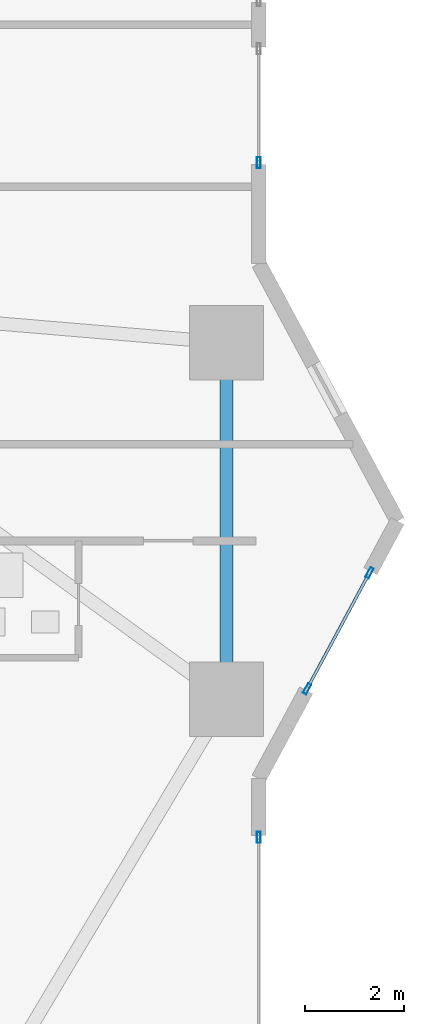
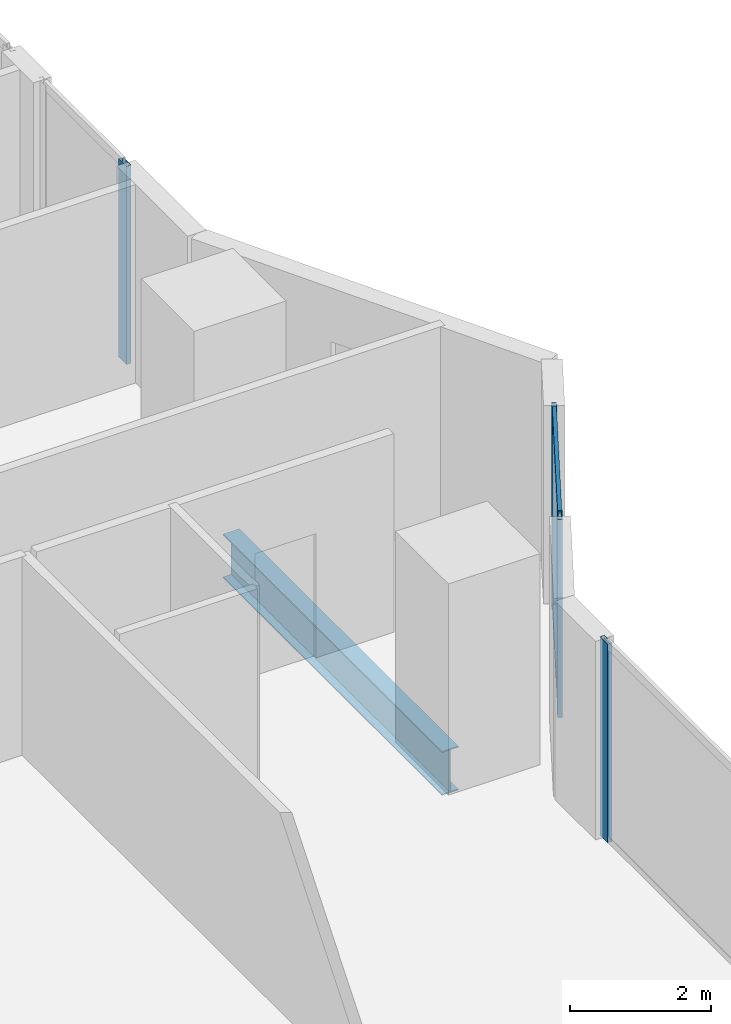
# One storey, part 12 of 29: 6 members, 1 beam, 3 elements without a shape of their own.
"""IFC4 building model written with IfcOpenShell, lengths in metres."""

import ifcopenshell
import ifcopenshell.guid

model = None  # the IFC model being written
_history = None  # IfcOwnerHistory: only IFC2X3 demands one
_inside = {}  # id of a spatial element -> (the spatial element, [elements in it])
_under = {}  # id of a project, library or spatial element -> (it, [spatial elements below it])
_declared = {}  # id of a project -> (the project, [libraries it declares])
_typed = {}  # id of a type object -> (the type object, [elements of that type])
_made_of = {}  # id of a material, layer set ... -> (it, [elements and type objects made of it])


def new_model(schema):
    """Start an empty IFC model of exactly this schema.

    Asked for "IFC4X3", IfcOpenShell would pick the latest addendum, in which some entities
    have other attributes; the version numbers below select the first issue.
    IFC2X3 requires an IfcOwnerHistory on every rooted entity: one is made here for all.
    """
    global model, _history
    if schema == "IFC4X3":
        model = ifcopenshell.file(schema_version=(4, 3, 0, 0))
    else:
        model = ifcopenshell.file(schema=schema)
    _inside.clear()
    _under.clear()
    _declared.clear()
    _typed.clear()
    _made_of.clear()
    _history = None
    if model.schema == "IFC2X3":
        org = make("IfcOrganization", Name="unknown")
        user = make(
            "IfcPersonAndOrganization",
            ThePerson=make("IfcPerson", FamilyName="unknown"),
            TheOrganization=org,
        )
        app = make(
            "IfcApplication",
            ApplicationDeveloper=org,
            Version="unknown",
            ApplicationFullName="unknown",
            ApplicationIdentifier="unknown",
        )
        _history = make(
            "IfcOwnerHistory",
            OwningUser=user,
            OwningApplication=app,
            ChangeAction="ADDED",
            CreationDate=0,
        )
    return model


def make(cls, **values):
    """One entity of the class cls with the attributes given. An attribute that is None is left unset."""
    return model.create_entity(
        cls, **{name: value for name, value in values.items() if value is not None}
    )


def rooted(cls, **values):
    """An entity with a GlobalId (a new one), such as an element, a storey or a relation."""
    return make(cls, GlobalId=ifcopenshell.guid.new(), OwnerHistory=_history, **values)


def si_unit(unit_type, name, prefix=None):
    """IfcSIUnit, for example si_unit("LENGTHUNIT", "METRE", prefix="MILLI")."""
    return make("IfcSIUnit", UnitType=unit_type, Prefix=prefix, Name=name)


def assignment(units):
    """IfcUnitAssignment: the units of a project."""
    return None if units is None else make("IfcUnitAssignment", Units=units)


def point(xyz):
    """IfcCartesianPoint."""
    return None if xyz is None else make("IfcCartesianPoint", Coordinates=xyz)


def direction(xyz):
    """IfcDirection."""
    return None if xyz is None else make("IfcDirection", DirectionRatios=xyz)


def frame(location, z_axis=None, x_axis=None):
    """IfcAxis2Placement3D, a coordinate frame: its origin and axes. An axis left out is left unset."""
    return make(
        "IfcAxis2Placement3D",
        Location=point(location),
        Axis=direction(z_axis),
        RefDirection=direction(x_axis),
    )


def frame_2d(location, x_axis=None):
    """IfcAxis2Placement2D, a coordinate frame in the plane: its origin and x axis."""
    return make(
        "IfcAxis2Placement2D", Location=point(location), RefDirection=direction(x_axis)
    )


def origin():
    """The frame at (0, 0, 0) with its axes left unset."""
    return frame((0.0, 0.0, 0.0))


def origin_2d():
    """The frame at (0, 0) in the plane with its x axis left unset."""
    return frame_2d((0.0, 0.0))


def place(relative_to, where):
    """IfcLocalPlacement: puts the frame where relative to a parent placement (None: the world)."""
    return make(
        "IfcLocalPlacement", PlacementRelTo=relative_to, RelativePlacement=where
    )


def context(
    kind, dimensions, precision=None, world=None, true_north=None, identifier=None
):
    """IfcGeometricRepresentationContext, for example the 3D "Model" context."""
    return make(
        "IfcGeometricRepresentationContext",
        ContextIdentifier=identifier,
        ContextType=kind,
        CoordinateSpaceDimension=dimensions,
        Precision=precision,
        WorldCoordinateSystem=world,
        TrueNorth=true_north,
    )


def subcontext(parent, identifier, kind, view, scale=None):
    """IfcGeometricRepresentationSubContext, for example "Body" below "Model"."""
    return make(
        "IfcGeometricRepresentationSubContext",
        ContextIdentifier=identifier,
        ContextType=kind,
        ParentContext=parent,
        TargetScale=scale,
        TargetView=view,
    )


def project(units=None, contexts=None):
    """IfcProject with its units and contexts."""
    return rooted(
        "IfcProject",
        Name="project",
        RepresentationContexts=contexts,
        UnitsInContext=assignment(units),
    )


def spatial(cls, under=None, at=None, **own):
    """A site, building, storey or space (cls), placed at a placement, below another one or the project."""
    s = rooted(cls, ObjectPlacement=at, **own)
    if under is not None:
        _under.setdefault(under.id(), (under, []))[1].append(s)
    return s


def profile(cls, at=None, kind="AREA", **sizes):
    """A parametric profile (cls). Its sizes go by their IFC names, for example OverallWidth=200.0."""
    return make(cls, ProfileType=kind, Position=at, **sizes)


def hollow_rectangle(**sizes):
    """IfcRectangleHollowProfileDef."""
    return profile("IfcRectangleHollowProfileDef", **sizes)


def i_section(**sizes):
    """IfcIShapeProfileDef."""
    return profile("IfcIShapeProfileDef", **sizes)


def extrude(swept, where, along, depth):
    """IfcExtrudedAreaSolid: the profile swept, set in the frame where, extruded along a direction by depth."""
    return make(
        "IfcExtrudedAreaSolid",
        SweptArea=swept,
        Position=where,
        ExtrudedDirection=direction(along),
        Depth=depth,
    )


def shape(context_of_items, identifier, shape_type, items):
    """IfcShapeRepresentation: the items that make up one representation, for example the "Body"."""
    return make(
        "IfcShapeRepresentation",
        ContextOfItems=context_of_items,
        RepresentationIdentifier=identifier,
        RepresentationType=shape_type,
        Items=items,
    )


def material(Name=None, Category=None):
    """IfcMaterial."""
    return make("IfcMaterial", Name=Name, Category=Category)


def layer(
    of_material, thickness, ventilated=None, Name=None, Category=None, Priority=None
):
    """IfcMaterialLayer: one layer of a wall or slab, of a material (None: an air gap)."""
    return make(
        "IfcMaterialLayer",
        Material=of_material,
        LayerThickness=thickness,
        IsVentilated=ventilated,
        Name=Name,
        Category=Category,
        Priority=Priority,
    )


def layer_set(layers, Name=None):
    """IfcMaterialLayerSet."""
    return make("IfcMaterialLayerSet", MaterialLayers=layers, LayerSetName=Name)


def material_profile(
    of_material, cross_section, Name=None, Category=None, Priority=None
):
    """IfcMaterialProfile: a cross section and its material."""
    return make(
        "IfcMaterialProfile",
        Name=Name,
        Material=of_material,
        Profile=cross_section,
        Priority=Priority,
        Category=Category,
    )


def profile_set(profiles, Name=None, composite=None):
    """IfcMaterialProfileSet."""
    return make(
        "IfcMaterialProfileSet",
        Name=Name,
        MaterialProfiles=profiles,
        CompositeProfile=composite,
    )


def made_of(thing, what):
    """Note that an element or type object is made of a material, layer set ...; save() writes the relation."""
    if what is not None:
        _made_of.setdefault(what.id(), (what, []))[1].append(thing)
    return thing


def type_object(cls, material=None, **own):
    """A type object (cls), such as IfcWallType, which elements share."""
    return made_of(rooted(cls, **own), material)


def element(
    cls,
    number,
    at=None,
    inside=None,
    cuts=None,
    type_object=None,
    material=None,
    context=None,
    identifier="Body",
    shape_type=None,
    held_by="IfcProductDefinitionShape",
    body=None,
    shapes=None,
    **own,
):
    """One element of the class cls, such as IfcWall. Its Tag is "e" and its number.

    at: its placement. inside: the storey or other place that contains it. cuts: it is an
    opening in that element (IfcRelVoidsElement). A single representation is given by context,
    identifier, shape_type and body (its items); several are given by shapes. held_by: the class
    of the entity that holds the representations. save() writes the other relations.
    """
    e = rooted(cls, Tag="e%d" % number, ObjectPlacement=at, **own)
    if body is not None:
        shapes = [shape(context, identifier, shape_type, body)]
    if shapes is not None:
        e.Representation = make(held_by, Representations=shapes)
    if inside is not None:
        _inside.setdefault(inside.id(), (inside, []))[1].append(e)
    if cuts is not None:
        rooted(
            "IfcRelVoidsElement", RelatingBuildingElement=cuts, RelatedOpeningElement=e
        )
    if type_object is not None:
        _typed.setdefault(type_object.id(), (type_object, []))[1].append(e)
    return made_of(e, material)


def aggregate(whole, parts):
    """IfcRelAggregates: a whole, such as a stair, and the parts it consists of."""
    return rooted("IfcRelAggregates", RelatingObject=whole, RelatedObjects=parts)


def save(model, path):
    """Write the relations noted so far, then the file.

    IfcRelAggregates (storeys below a building ...), IfcRelContainedInSpatialStructure (elements
    in a storey), IfcRelDefinesByType, IfcRelAssociatesMaterial and IfcRelDeclares: one each for
    every whole, place, type object, material and project.
    """
    for whole, parts in _under.values():
        aggregate(whole, parts)
    for where, things in _inside.values():
        rooted(
            "IfcRelContainedInSpatialStructure",
            RelatedElements=things,
            RelatingStructure=where,
        )
    for kind, things in _typed.values():
        rooted("IfcRelDefinesByType", RelatedObjects=things, RelatingType=kind)
    for what, things in _made_of.values():
        rooted("IfcRelAssociatesMaterial", RelatedObjects=things, RelatingMaterial=what)
    for by, libraries in _declared.values():
        rooted("IfcRelDeclares", RelatingContext=by, RelatedDefinitions=libraries)
    model.write(path)


model = new_model("IFC4")

# Units and contexts
model_context = context("Model", 3, precision=1e-05, world=origin(), true_north=direction((0.0, 1.0)))
body_context = subcontext(model_context, "Body", "Model", "MODEL_VIEW")
ifc_project = project(units=[si_unit("LENGTHUNIT", "METRE"), si_unit("AREAUNIT", "SQUARE_METRE"), si_unit("VOLUMEUNIT", "CUBIC_METRE"), si_unit("PLANEANGLEUNIT", "RADIAN"), si_unit("MASSUNIT", "GRAM", prefix="KILO")], contexts=[model_context])

# Site, building, storey
site_placement = place(None, origin())
site = spatial("IfcSite", under=ifc_project, at=site_placement, CompositionType="ELEMENT")
building_placement = place(site_placement, origin())
building = spatial("IfcBuilding", under=site, at=building_placement, Name="Zuhayl Quay Hotel", CompositionType="ELEMENT")
storey_placement = place(building_placement, frame((0.0, 0.0, 67.75)))
storey = spatial("IfcBuildingStorey", under=building, at=storey_placement, Name="L16", CompositionType="ELEMENT", Elevation=67.75)

# Beam
ifc_material_1 = material(Name="Steel ASTM A992 Grade 50", Category="steel")
ifc_material_profile_1 = material_profile(ifc_material_1, i_section(OverallWidth=0.26708984375, OverallDepth=0.761962890625, WebThickness=0.014404296875, FlangeThickness=0.021484375, at=origin_2d()), Name="W30X116")
ifc_profile_set_1 = profile_set([ifc_material_profile_1], Name="Steel ASTM A992 Grade 50")
beam_type = type_object("IfcBeamType", Name="BM_B1_W30X116", PredefinedType="BEAM", material=ifc_profile_set_1)
beam_placement = place(storey_placement, frame((25.050048828125, -3.10009765625, -0.60107421875), z_axis=(0.0, 1.0, 0.0), x_axis=(-1.0, 0.0, 0.0)))
element("IfcBeam", 1, at=beam_placement, inside=storey, type_object=beam_type, Name="L16 Floor Beam RG_L16_05", PredefinedType="BEAM", context=body_context, shape_type="SweptSolid", body=[
    extrude(i_section(OverallWidth=0.26708984375, OverallDepth=0.761962890625, WebThickness=0.014404296875, FlangeThickness=0.021484375, at=origin_2d()), origin(), (0.0, 0.0, 1.0), 6.2001953125),
])

# Curtain wall, member
ifc_material_2 = material(Name="Anodised Aluminium 6063-T6", Category="aluminium")
ifc_layer = layer(ifc_material_2, 0.18994140625, Name="Anodised Aluminium 6063-T6", Category="aluminium")
ifc_layer_set = layer_set([ifc_layer], Name="Anodised Aluminium 6063-T6")
curtain_wall_type = type_object("IfcCurtainWallType", Name="CW_SYS_Z1", PredefinedType="USERDEFINED", material=ifc_layer_set)
curtain_wall_1_placement = place(storey_placement, origin())
curtain_wall_1 = element("IfcCurtainWall", 2, at=curtain_wall_1_placement, inside=storey, type_object=curtain_wall_type, Name="L16 Curtain Wall ENV_L16_E11_CW2", ObjectType="UNITISED CURTAIN WALL", PredefinedType="USERDEFINED")
ifc_material_3 = material(Name="Black-anodised aluminium 6063-T6", Category="aluminium")
ifc_material_profile_2 = material_profile(ifc_material_3, hollow_rectangle(XDim=0.074951171875, YDim=0.219970703125, WallThickness=0.00390625, at=origin_2d()), Name="ALU220X75")
ifc_profile_set_2 = profile_set([ifc_material_profile_2], Name="Black-anodised aluminium 6063-T6")
member_type_1 = type_object("IfcMemberType", Name="MB_CW_MUL_220", PredefinedType="MULLION", material=ifc_profile_set_2)
member_1_placement = place(storey_placement, frame((25.699951171875, 7.237548828125, 0.0), z_axis=(0.0, 0.0, 1.0), x_axis=(1.0, 0.0, 0.0)))
member_1 = element("IfcMember", 3, at=member_1_placement, type_object=member_type_1, Name="CW-Z1 mullion 2", PredefinedType="MULLION", context=body_context, shape_type="SweptSolid", body=[
    extrude(hollow_rectangle(XDim=0.074951171875, YDim=0.219970703125, WallThickness=0.00390625, at=origin_2d()), origin(), (0.0, 0.0, 1.0), 3.429931640625),
])
aggregate(curtain_wall_1, [member_1])

# Curtain wall, members
curtain_wall_2_placement = place(storey_placement, origin())
curtain_wall_2 = element("IfcCurtainWall", 4, at=curtain_wall_2_placement, inside=storey, type_object=curtain_wall_type, Name="L16 Curtain Wall ENV_L16_E13_CW1", ObjectType="UNITISED CURTAIN WALL", PredefinedType="USERDEFINED")
member_2_placement = place(storey_placement, frame((27.93701171875, -1.04541015625, 0.0), z_axis=(0.0, 0.0, 1.0), x_axis=(0.880475795468, -0.474091102632, 0.0)))
member_2 = element("IfcMember", 5, at=member_2_placement, type_object=member_type_1, Name="CW-Z1 mullion 1", PredefinedType="MULLION", context=body_context, shape_type="SweptSolid", body=[
    extrude(hollow_rectangle(XDim=0.074951171875, YDim=0.219970703125, WallThickness=0.00390625, at=origin_2d()), origin(), (0.0, 0.0, 1.0), 3.429931640625),
])
member_3_placement = place(storey_placement, frame((26.67578125, -3.387939453125, 0.0), z_axis=(0.0, 0.0, 1.0), x_axis=(0.880475795468, -0.474091102632, 0.0)))
member_3 = element("IfcMember", 6, at=member_3_placement, type_object=member_type_1, Name="CW-Z1 mullion 2", PredefinedType="MULLION", context=body_context, shape_type="SweptSolid", body=[
    extrude(hollow_rectangle(XDim=0.074951171875, YDim=0.219970703125, WallThickness=0.00390625, at=origin_2d()), origin(), (0.0, 0.0, 1.0), 3.429931640625),
])

# Curtain wall, member
curtain_wall_3_placement = place(storey_placement, origin())
curtain_wall_3 = element("IfcCurtainWall", 7, at=curtain_wall_3_placement, inside=storey, type_object=curtain_wall_type, Name="L16 Curtain Wall ENV_L16_E14_CW1", ObjectType="UNITISED CURTAIN WALL", PredefinedType="USERDEFINED")
member_4_placement = place(storey_placement, frame((25.699951171875, -6.387451171875, 0.0), z_axis=(0.0, 0.0, 1.0), x_axis=(1.0, 0.0, 0.0)))
member_4 = element("IfcMember", 8, at=member_4_placement, type_object=member_type_1, Name="CW-Z1 mullion 1", PredefinedType="MULLION", context=body_context, shape_type="SweptSolid", body=[
    extrude(hollow_rectangle(XDim=0.074951171875, YDim=0.219970703125, WallThickness=0.00390625, at=origin_2d()), origin(), (0.0, 0.0, 1.0), 3.429931640625),
])
aggregate(curtain_wall_3, [member_4])

# Member
ifc_material_profile_3 = material_profile(ifc_material_3, hollow_rectangle(XDim=0.06005859375, YDim=0.14990234375, WallThickness=0.00341796875, at=origin_2d()), Name="ALU150X60")
ifc_profile_set_3 = profile_set([ifc_material_profile_3], Name="Black-anodised aluminium 6063-T6")
member_type_2 = type_object("IfcMemberType", Name="MB_CW_TRN_150", PredefinedType="USERDEFINED", material=ifc_profile_set_3)
member_5_placement = place(storey_placement, frame((27.919189453125, -1.07861328125, 0.030029296875), z_axis=(-0.474054771703, -0.880495356845, 0.0), x_axis=(0.880495356845, -0.474054771703, 0.0)))
member_5 = element("IfcMember", 9, at=member_5_placement, type_object=member_type_2, Name="CW-Z1 transom 1.1", ObjectType="TRANSOM", PredefinedType="USERDEFINED", context=body_context, shape_type="SweptSolid", body=[
    extrude(hollow_rectangle(XDim=0.06005859375, YDim=0.14990234375, WallThickness=0.00341796875, at=origin_2d()), origin(), (0.0, 0.0, 1.0), 2.585205078125),
])

member_6_placement = place(storey_placement, frame((27.919189453125, -1.07861328125, 3.39990234375), z_axis=(-0.474054771703, -0.880495356845, 0.0), x_axis=(0.880495356845, -0.474054771703, 0.0)))
member_6 = element("IfcMember", 10, at=member_6_placement, type_object=member_type_2, Name="CW-Z1 transom 1.2", ObjectType="TRANSOM", PredefinedType="USERDEFINED", context=body_context, shape_type="SweptSolid", body=[
    extrude(hollow_rectangle(XDim=0.06005859375, YDim=0.14990234375, WallThickness=0.00341796875, at=origin_2d()), origin(), (0.0, 0.0, 1.0), 2.585205078125),
])

aggregate(curtain_wall_2, [member_2, member_3, member_5, member_6])

save(model, "model.ifc")
